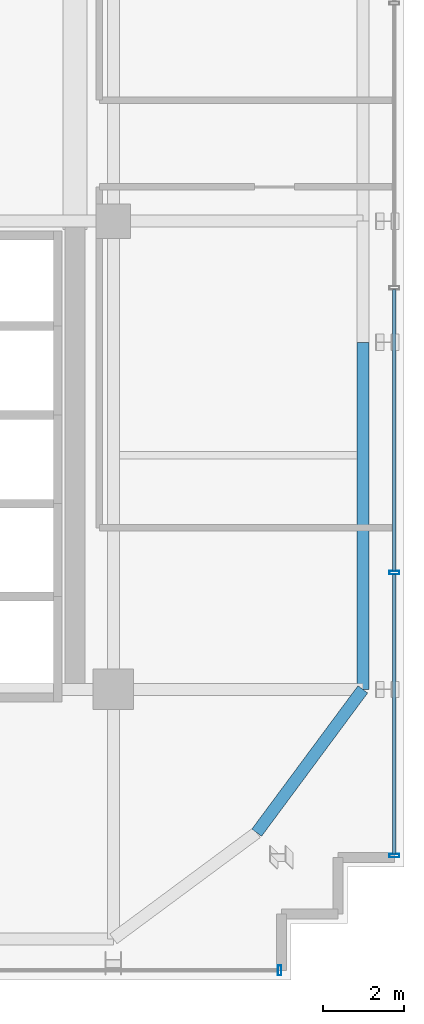
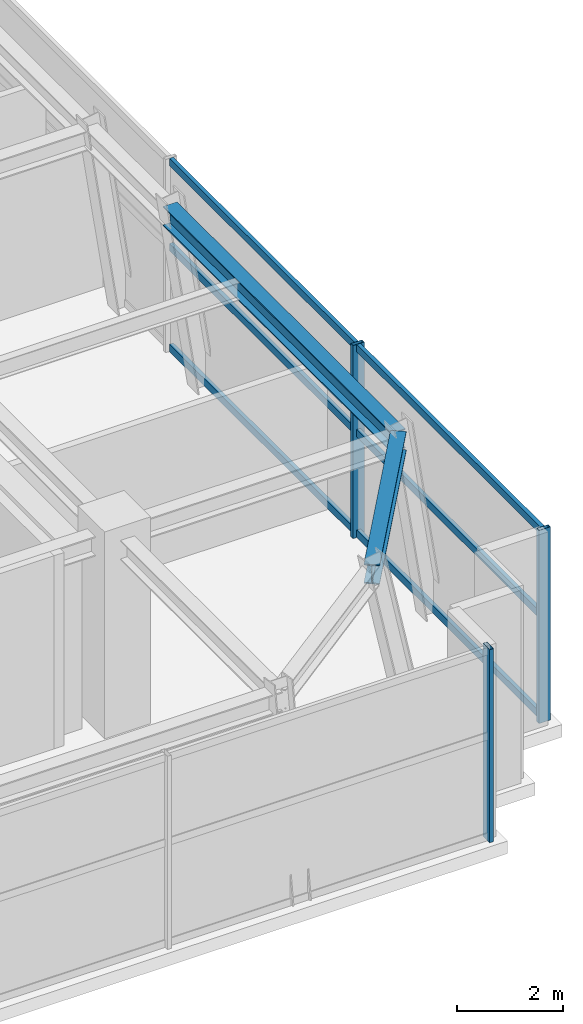
# One storey, part 10 of 28: 9 members, 2 beams, 2 elements without a shape of their own.
"""IFC4 building model written with IfcOpenShell, lengths in metres."""

from ifc_helpers import new_model, si_unit, direction, frame, origin, origin_2d, place, context, subcontext, project, spatial, hollow_rectangle, i_section, extrude, source, transform, mapped, material, material_profile, profile_set, type_object, element, aggregate, save


model = new_model("IFC4")

# Units and contexts
model_context = context("Model", 3, precision=1e-05, world=origin(), true_north=direction((0.0, 1.0)))
body_context = subcontext(model_context, "Body", "Model", "MODEL_VIEW")
ifc_project = project(units=[si_unit("LENGTHUNIT", "METRE"), si_unit("AREAUNIT", "SQUARE_METRE"), si_unit("VOLUMEUNIT", "CUBIC_METRE"), si_unit("PLANEANGLEUNIT", "RADIAN"), si_unit("MASSUNIT", "GRAM", prefix="KILO")], contexts=[model_context])

# Site, building, storey
site_placement = place(None, origin())
site = spatial("IfcSite", under=ifc_project, at=site_placement, CompositionType="ELEMENT")
building_placement = place(site_placement, origin())
building = spatial("IfcBuilding", under=site, at=building_placement, Name="Nahalor Promenade Grand Hotel", CompositionType="ELEMENT")
storey_placement = place(building_placement, frame((0.0, 0.0, 256.699951171875)))
storey = spatial("IfcBuildingStorey", under=building, at=storey_placement, Name="L66", CompositionType="ELEMENT", Elevation=256.699951171875)

# Beams
ifc_material_1 = material(Name="Steel S355JR", Category="steel")
ifc_material_profile_1 = material_profile(ifc_material_1, i_section(OverallWidth=0.3, OverallDepth=0.45, WebThickness=0.014, FlangeThickness=0.026, at=origin_2d()), Name="HEB 450")
ifc_profile_set_1 = profile_set([ifc_material_profile_1], Name="Steel S355JR")
beam_type = type_object("IfcBeamType", Name="Beam-Spandrel-HEB450", PredefinedType="SPANDREL", material=ifc_profile_set_1)
shared_shape_1 = source(origin(), body_context, "Body", "SweptSolid", [
    extrude(i_section(OverallWidth=0.3, OverallDepth=0.45, WebThickness=0.014, FlangeThickness=0.026, at=origin_2d()), origin(), (0.0, 0.0, 1.0), 8.60009765625),
])
beam_1_placement = place(storey_placement, frame((23.179931640625, -17.0, 4.215087890625), z_axis=(0.0, 1.0, 0.0), x_axis=(-1.0, 0.0, 0.0)))
element("IfcBeam", 1, at=beam_1_placement, inside=storey, type_object=beam_type, Name="BM-L66-SP-E-0", PredefinedType="SPANDREL", context=body_context, shape_type="MappedRepresentation", body=[
    mapped(shared_shape_1, transform((0.0, 0.0, 0.0), scale=1.0)),
])
shared_shape_2 = source(origin(), body_context, "Body", "SweptSolid", [
    extrude(i_section(OverallWidth=0.3, OverallDepth=0.45, WebThickness=0.014, FlangeThickness=0.026, at=origin_2d()), origin(), (0.0, 0.0, 1.0), 4.41796875),
])
beam_2_placement = place(storey_placement, frame((20.550048828125, -20.550048828125, 4.215087890625), z_axis=(0.595259267073, 0.803533698711, 0.0), x_axis=(-0.803533698711, 0.595259267073, 0.0)))
element("IfcBeam", 2, at=beam_2_placement, inside=storey, type_object=beam_type, Name="BM-L66-SPC-SE-2", PredefinedType="SPANDREL", context=body_context, shape_type="MappedRepresentation", body=[
    mapped(shared_shape_2, transform((0.0, 0.0, 0.0), scale=1.0)),
])

# Curtain wall, member
ifc_material_2 = material(Name="Anodised Bronze Aluminium EN AW-6063 T6", Category="aluminium")
curtain_wall_type = type_object("IfcCurtainWallType", Name="CW5 Sky-Lobby & Observation Panoramic Curtain Wall", PredefinedType="USERDEFINED", material=ifc_material_2)
curtain_wall_1_placement = place(storey_placement, origin())
curtain_wall_1 = element("IfcCurtainWall", 3, at=curtain_wall_1_placement, inside=storey, type_object=curtain_wall_type, Name="L66 Curtain Wall CW-L66-S-1", ObjectType="UNITISED_CURTAIN_WALL", PredefinedType="USERDEFINED")
ifc_material_profile_2 = material_profile(ifc_material_2, hollow_rectangle(XDim=0.085, YDim=0.25, WallThickness=0.006, at=origin_2d()), Name="CWM 85x250x6")
ifc_profile_set_2 = profile_set([ifc_material_profile_2], Name="Anodised Bronze Aluminium EN AW-6063 T6")
member_type_1 = type_object("IfcMemberType", Name="CWM5 Panoramic Deep Mullion 85x250", PredefinedType="MULLION", material=ifc_profile_set_2)
shared_shape_3 = source(origin(), body_context, "Body", "SweptSolid", [
    extrude(hollow_rectangle(XDim=0.085, YDim=0.25, WallThickness=0.006, at=origin_2d()), origin(), (0.0, 0.0, 1.0), 4.43994140625),
])
member_1_placement = place(storey_placement, frame((21.117431640625, -23.9599609375, 0.0), z_axis=(0.0, 0.0, 1.0), x_axis=(1.0, 0.0, 0.0)))
member_1 = element("IfcMember", 4, at=member_1_placement, type_object=member_type_1, Name="CW-L66-S-1 Mullion 6", PredefinedType="MULLION", context=body_context, shape_type="MappedRepresentation", body=[
    mapped(shared_shape_3, transform((0.0, 0.0, 0.0), scale=1.0)),
])
aggregate(curtain_wall_1, [member_1])

# Curtain wall, members
curtain_wall_2_placement = place(storey_placement, origin())
curtain_wall_2 = element("IfcCurtainWall", 5, at=curtain_wall_2_placement, inside=storey, type_object=curtain_wall_type, Name="L66 Curtain Wall CW-L66-E-1", ObjectType="UNITISED_CURTAIN_WALL", PredefinedType="USERDEFINED")
member_2_placement = place(storey_placement, frame((23.9599609375, -21.117431640625, 0.0), z_axis=(0.0, 0.0, 1.0), x_axis=(0.0, 1.0, 0.0)))
member_2 = element("IfcMember", 6, at=member_2_placement, type_object=member_type_1, Name="CW-L66-E-1 Mullion 0", PredefinedType="MULLION", context=body_context, shape_type="MappedRepresentation", body=[
    mapped(shared_shape_3, transform((0.0, 0.0, 0.0), scale=1.0)),
])
member_3_placement = place(storey_placement, frame((23.9599609375, -14.106689453125, 0.0), z_axis=(0.0, 0.0, 1.0), x_axis=(0.0, 1.0, 0.0)))
member_3 = element("IfcMember", 7, at=member_3_placement, type_object=member_type_1, Name="CW-L66-E-1 Mullion 1", PredefinedType="MULLION", context=body_context, shape_type="MappedRepresentation", body=[
    mapped(shared_shape_3, transform((0.0, 0.0, 0.0), scale=1.0)),
])
ifc_material_profile_3 = material_profile(ifc_material_2, hollow_rectangle(XDim=0.085, YDim=0.17, WallThickness=0.005, at=origin_2d()), Name="CWT 85x170x5")
ifc_profile_set_3 = profile_set([ifc_material_profile_3], Name="Anodised Bronze Aluminium EN AW-6063 T6")
member_type_2 = type_object("IfcMemberType", Name="CWT5 Panoramic Transom 85x170", PredefinedType="USERDEFINED", material=ifc_profile_set_3)
shared_shape_4 = source(origin(), body_context, "Body", "SweptSolid", [
    extrude(hollow_rectangle(XDim=0.085, YDim=0.17, WallThickness=0.005, at=origin_2d()), origin(), (0.0, 0.0, 1.0), 6.92578125),
])
member_4_placement = place(storey_placement, frame((23.9599609375, -21.074951171875, 0.0849609375), z_axis=(0.0, 1.0, 0.0), x_axis=(-1.0, 0.0, 0.0)))
member_4 = element("IfcMember", 8, at=member_4_placement, type_object=member_type_2, Name="CW-L66-E-1 Transom 0-0", ObjectType="TRANSOM", PredefinedType="USERDEFINED", context=body_context, shape_type="MappedRepresentation", body=[
    mapped(shared_shape_4, transform((0.0, 0.0, 0.0), scale=1.0)),
])
member_5_placement = place(storey_placement, frame((23.9599609375, -21.074951171875, 2.400146484375), z_axis=(0.0, 1.0, 0.0), x_axis=(-1.0, 0.0, 0.0)))
member_5 = element("IfcMember", 9, at=member_5_placement, type_object=member_type_2, Name="CW-L66-E-1 Transom 0-1", ObjectType="TRANSOM", PredefinedType="USERDEFINED", context=body_context, shape_type="MappedRepresentation", body=[
    mapped(shared_shape_4, transform((0.0, 0.0, 0.0), scale=1.0)),
])
member_6_placement = place(storey_placement, frame((23.9599609375, -21.074951171875, 4.35498046875), z_axis=(0.0, 1.0, 0.0), x_axis=(-1.0, 0.0, 0.0)))
member_6 = element("IfcMember", 10, at=member_6_placement, type_object=member_type_2, Name="CW-L66-E-1 Transom 0-2", ObjectType="TRANSOM", PredefinedType="USERDEFINED", context=body_context, shape_type="MappedRepresentation", body=[
    mapped(shared_shape_4, transform((0.0, 0.0, 0.0), scale=1.0)),
])
shared_shape_5 = source(origin(), body_context, "Body", "SweptSolid", [
    extrude(hollow_rectangle(XDim=0.085, YDim=0.17, WallThickness=0.005, at=origin_2d()), origin(), (0.0, 0.0, 1.0), 6.96826171875),
])
member_7_placement = place(storey_placement, frame((23.9599609375, -14.064208984375, 0.0849609375), z_axis=(0.0, 1.0, 0.0), x_axis=(-1.0, 0.0, 0.0)))
member_7 = element("IfcMember", 11, at=member_7_placement, type_object=member_type_2, Name="CW-L66-E-1 Transom 1-0", ObjectType="TRANSOM", PredefinedType="USERDEFINED", context=body_context, shape_type="MappedRepresentation", body=[
    mapped(shared_shape_5, transform((0.0, 0.0, 0.0), scale=1.0)),
])
member_8_placement = place(storey_placement, frame((23.9599609375, -14.064208984375, 2.400146484375), z_axis=(0.0, 1.0, 0.0), x_axis=(-1.0, 0.0, 0.0)))
member_8 = element("IfcMember", 12, at=member_8_placement, type_object=member_type_2, Name="CW-L66-E-1 Transom 1-1", ObjectType="TRANSOM", PredefinedType="USERDEFINED", context=body_context, shape_type="MappedRepresentation", body=[
    mapped(shared_shape_5, transform((0.0, 0.0, 0.0), scale=1.0)),
])
member_9_placement = place(storey_placement, frame((23.9599609375, -14.064208984375, 4.35498046875), z_axis=(0.0, 1.0, 0.0), x_axis=(-1.0, 0.0, 0.0)))
member_9 = element("IfcMember", 13, at=member_9_placement, type_object=member_type_2, Name="CW-L66-E-1 Transom 1-2", ObjectType="TRANSOM", PredefinedType="USERDEFINED", context=body_context, shape_type="MappedRepresentation", body=[
    mapped(shared_shape_5, transform((0.0, 0.0, 0.0), scale=1.0)),
])
aggregate(curtain_wall_2, [member_2, member_3, member_4, member_5, member_6, member_7, member_8, member_9])

save(model, "model.ifc")
